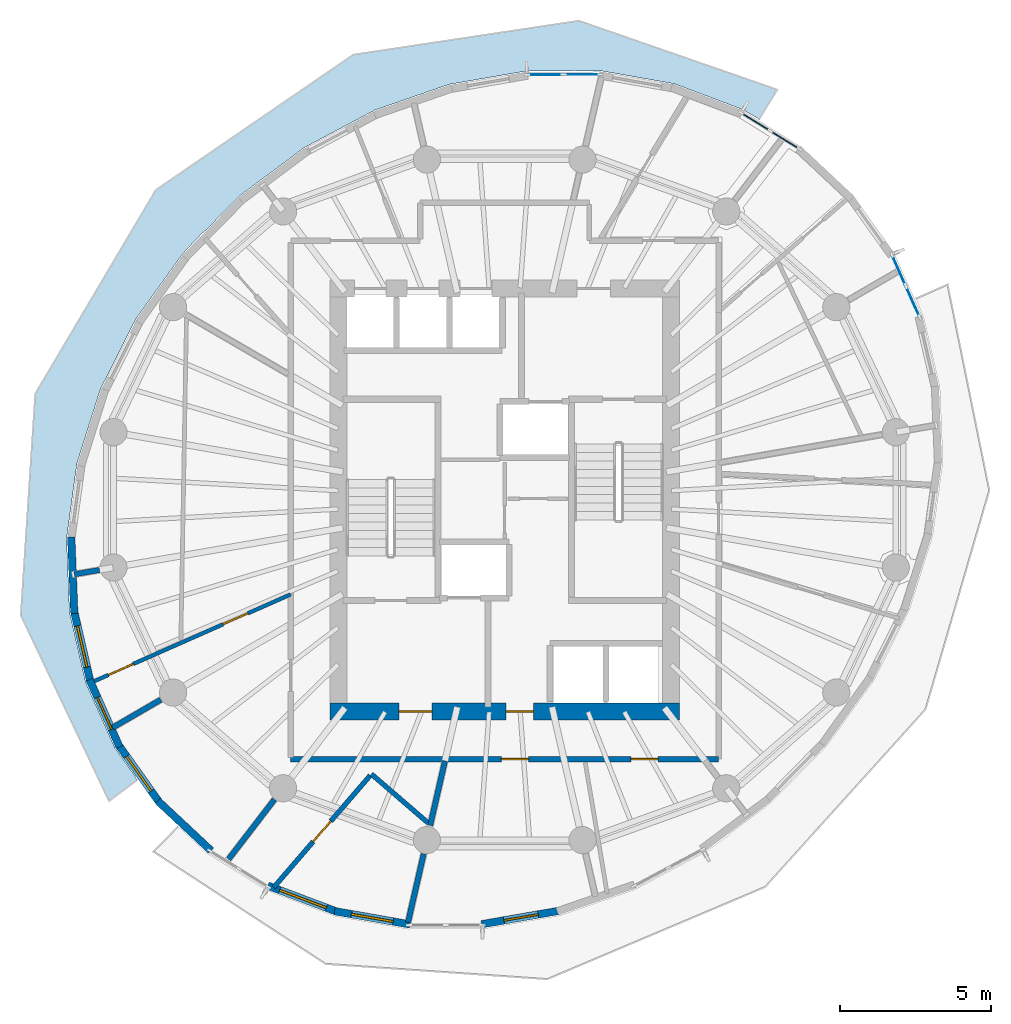
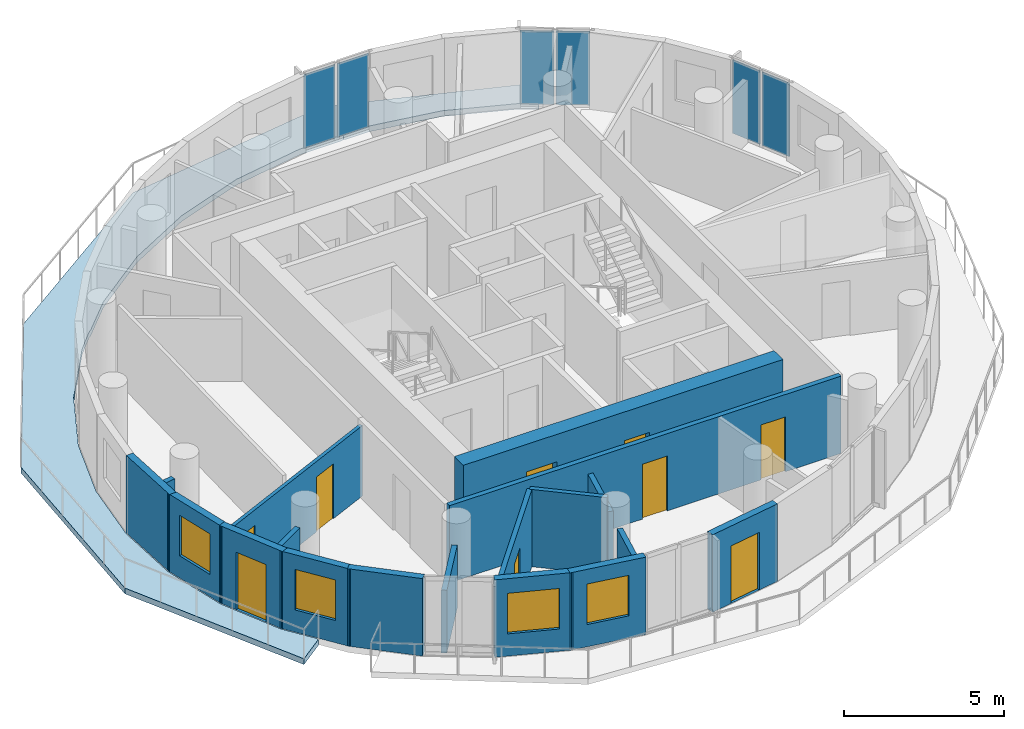
# One storey, part 4 of 10: 18 walls, 9 doors, 6 plates, 4 windows, 1 slab, 13 openings, 3 elements without a shape of their own.
"""IFC4 building model written with IfcOpenShell, lengths in metres."""

from ifc_helpers import new_model, si_unit, direction, frame, frame_2d, origin, origin_2d, place, context, subcontext, project, spatial, polyline, rectangle, outline, extrude, material, layer, layer_set, type_object, element, fill, aggregate, save


model = new_model("IFC4")

# Units and contexts
model_context = context("Model", 3, precision=1e-05, world=origin(), true_north=direction((0.0, 1.0)))
body_context = subcontext(model_context, "Body", "Model", "MODEL_VIEW")
ifc_project = project(units=[si_unit("LENGTHUNIT", "METRE"), si_unit("AREAUNIT", "SQUARE_METRE"), si_unit("VOLUMEUNIT", "CUBIC_METRE"), si_unit("PLANEANGLEUNIT", "RADIAN"), si_unit("MASSUNIT", "GRAM", prefix="KILO")], contexts=[model_context])

# Site, building, storey
site_placement = place(None, origin())
site = spatial("IfcSite", under=ifc_project, at=site_placement, CompositionType="ELEMENT")
building_placement = place(site_placement, origin())
building = spatial("IfcBuilding", under=site, at=building_placement, Name="Veldorim Arch Residences", CompositionType="ELEMENT")
storey_placement = place(building_placement, frame((0.0, 0.0, 172.639892578125)))
storey = spatial("IfcBuildingStorey", under=building, at=storey_placement, Name="L51", CompositionType="ELEMENT", Elevation=172.639892578125)

# Slab
ifc_material_1 = material(Name="Concrete C40/50", Category="concrete")
ifc_layer_1 = layer(ifc_material_1, 0.219970703125, Name="Planted Crescent Cantilever Balcony Slab 220")
ifc_layer_set_1 = layer_set([ifc_layer_1], Name="Concrete C40/50")
slab_type = type_object("IfcSlabType", Name="Planted Crescent Cantilever Balcony Slab 220", PredefinedType="FLOOR", material=ifc_layer_set_1)
slab_placement = place(storey_placement, frame((0.0, 0.0, -0.219970703125)))
element("IfcSlab", 1, at=slab_placement, inside=storey, type_object=slab_type, Name="L51 planted crescent balcony slab A", PredefinedType="FLOOR", context=body_context, shape_type="SweptSolid", body=[
    extrude(outline(polyline([(40.425048828125, 36.59814453125), (39.85107421875, 36.927490234375), (37.612060546875, 37.7705078125), (35.20263671875, 38.195068359375), (34.399169921875, 38.193115234375), (34.30615234375, 38.217529296875), (34.182373046875, 38.1923828125), (32.696044921875, 38.1884765625), (30.16845703125, 37.75048828125), (27.69677734375, 36.89501953125), (25.35595703125, 35.64794921875), (23.216796875, 34.047119140625), (22.1015625, 32.912109375), (22.001953125, 32.841552734375), (21.344482421875, 32.14111328125), (19.795654296875, 29.98779296875), (18.61767578125, 27.652587890625), (17.845703125, 25.206298828125), (17.504150390625, 22.72314453125), (17.60302734375, 20.278564453125), (18.139404296875, 17.947021484375), (19.09716796875, 15.799072265625), (19.780029296875, 14.83837890625), (19.827392578125, 14.716064453125), (18.906005859375, 14.02783203125), (15.98291015625, 20.177490234375), (16.463623046875, 27.518798828125), (20.4521484375, 34.258544921875), (26.9853515625, 38.734130859375), (34.456298828125, 39.8583984375), (41.0283203125, 37.5771484375), (40.425048828125, 36.59814453125)])), origin(), (0.0, 0.0, 1.0), 0.219970703125),
])

# Curtain wall, plates
ifc_material_2 = material(Name="Aluminium", Category="aluminium")
curtain_wall_type = type_object("IfcCurtainWallType", Name="Zone 4 High-Altitude Unitised Curtain Wall", PredefinedType="NOTDEFINED", material=ifc_material_2)
curtain_wall_1_placement = place(storey_placement, origin())
curtain_wall_1 = element("IfcCurtainWall", 2, at=curtain_wall_1_placement, inside=storey, type_object=curtain_wall_type, Name="L51 unitised curtain wall bay 02", PredefinedType="NOTDEFINED")
ifc_material_3 = material(Name="Laminated Low-E Glass", Category="glass")
ifc_layer_2 = layer(ifc_material_3, 0.030029296875, Name="Zone 4 High-Altitude Unitised Curtain Wall Glazing Panel 30")
ifc_layer_set_2 = layer_set([ifc_layer_2], Name="Laminated Low-E Glass")
plate_type = type_object("IfcPlateType", Name="Zone 4 High-Altitude Unitised Curtain Wall Glazing Panel 30", PredefinedType="CURTAIN_PANEL", material=ifc_layer_set_2)
plate_1_placement = place(storey_placement, frame((40.307861328125, 36.510009765625, 0.0751953125), z_axis=(0.0, 0.0, 1.0), x_axis=(0.850708896326, -0.525637112191, 0.0)))
plate_1 = element("IfcPlate", 3, at=plate_1_placement, type_object=plate_type, Name="CW-Z4 panel 1.1", PredefinedType="CURTAIN_PANEL", context=body_context, shape_type="SweptSolid", body=[
    extrude(rectangle(XDim=1.06103515625, YDim=0.030029296875, at=origin_2d()), origin(), (0.0, 0.0, 1.0), 2.81005859375),
])
plate_2_placement = place(storey_placement, frame((41.274169921875, 35.912841796875, 0.0751953125), z_axis=(0.0, 0.0, 1.0), x_axis=(0.850708896326, -0.525637112191, 0.0)))
plate_2 = element("IfcPlate", 4, at=plate_2_placement, type_object=plate_type, Name="CW-Z4 panel 2.1", PredefinedType="CURTAIN_PANEL", context=body_context, shape_type="SweptSolid", body=[
    extrude(rectangle(XDim=1.06103515625, YDim=0.030029296875, at=origin_2d()), origin(), (0.0, 0.0, 1.0), 2.81005859375),
])
aggregate(curtain_wall_1, [plate_1, plate_2])

curtain_wall_2_placement = place(storey_placement, origin())
curtain_wall_2 = element("IfcCurtainWall", 5, at=curtain_wall_2_placement, inside=storey, type_object=curtain_wall_type, Name="L51 unitised curtain wall bay 05", PredefinedType="NOTDEFINED")
plate_3_placement = place(storey_placement, frame((33.3427734375, 38.0751953125, 0.0751953125), z_axis=(0.0, 0.0, 1.0), x_axis=(0.999996415131, 0.002677634077, 0.0)))
plate_3 = element("IfcPlate", 6, at=plate_3_placement, type_object=plate_type, Name="CW-Z4 panel 1.1", PredefinedType="CURTAIN_PANEL", context=body_context, shape_type="SweptSolid", body=[
    extrude(rectangle(XDim=1.138671875, YDim=0.030029296875, at=origin_2d()), origin(), (0.0, 0.0, 1.0), 2.81005859375),
])
plate_4_placement = place(storey_placement, frame((34.556396484375, 38.078369140625, 0.0751953125), z_axis=(0.0, 0.0, 1.0), x_axis=(0.999996415131, 0.002677634077, 0.0)))
plate_4 = element("IfcPlate", 7, at=plate_4_placement, type_object=plate_type, Name="CW-Z4 panel 2.1", PredefinedType="CURTAIN_PANEL", context=body_context, shape_type="SweptSolid", body=[
    extrude(rectangle(XDim=1.138671875, YDim=0.030029296875, at=origin_2d()), origin(), (0.0, 0.0, 1.0), 2.81005859375),
])
aggregate(curtain_wall_2, [plate_3, plate_4])

curtain_wall_3_placement = place(storey_placement, origin())
curtain_wall_3 = element("IfcCurtainWall", 8, at=curtain_wall_3_placement, inside=storey, type_object=curtain_wall_type, Name="L51 unitised curtain wall bay 35", PredefinedType="NOTDEFINED")
plate_5_placement = place(storey_placement, frame((45.04541015625, 31.598876953125, 0.0751953125), z_axis=(0.0, 0.0, 1.0), x_axis=(0.407268864514, -0.913308311578, 0.0)))
plate_5 = element("IfcPlate", 9, at=plate_5_placement, type_object=plate_type, Name="CW-Z4 panel 1.1", PredefinedType="CURTAIN_PANEL", context=body_context, shape_type="SweptSolid", body=[
    extrude(rectangle(XDim=1.06103515625, YDim=0.030029296875, at=origin_2d()), origin(), (0.0, 0.0, 1.0), 2.81005859375),
])
plate_6_placement = place(storey_placement, frame((45.508056640625, 30.561279296875, 0.0751953125), z_axis=(0.0, 0.0, 1.0), x_axis=(0.407268864514, -0.913308311578, 0.0)))
plate_6 = element("IfcPlate", 10, at=plate_6_placement, type_object=plate_type, Name="CW-Z4 panel 2.1", PredefinedType="CURTAIN_PANEL", context=body_context, shape_type="SweptSolid", body=[
    extrude(rectangle(XDim=1.06103515625, YDim=0.030029296875, at=origin_2d()), origin(), (0.0, 0.0, 1.0), 2.81005859375),
])
aggregate(curtain_wall_3, [plate_5, plate_6])

# Wall, openings, doors
ifc_material_4 = material(Name="Acoustic Gypsum Board", Category="gypsum")
ifc_layer_3 = layer(ifc_material_4, 0.125, Name="Acoustic Stud Room Partition Wall 125")
ifc_layer_set_3 = layer_set([ifc_layer_3], Name="Acoustic Gypsum Board")
wall_type_1 = type_object("IfcWallType", Name="Acoustic Stud Room Partition Wall 125", PredefinedType="PARTITIONING", material=ifc_layer_set_3)
wall_1_placement = place(storey_placement, frame((18.316650390625, 17.954345703125, 0.0), z_axis=(0.0, 0.0, 1.0), x_axis=(0.914699105929, 0.404135553512, 0.0)))
wall_1 = element("IfcWall", 11, at=wall_1_placement, inside=storey, type_object=wall_type_1, Name="L51 interior wall WL-RES-L51-026", PredefinedType="PARTITIONING", context=body_context, shape_type="SweptSolid", body=[
    extrude(rectangle(XDim=7.218994140625, YDim=0.125, at=frame_2d((3.609375, 0.0))), origin(), (0.0, 0.0, 1.0), 2.692138671875),
])
opening_1_placement = place(wall_1_placement, frame((0.62109375, 0.0, 0.0)))
opening_1 = element("IfcOpeningElement", 12, at=opening_1_placement, cuts=wall_1, Name="Opening DR-INT", PredefinedType="OPENING", context=body_context, shape_type="SweptSolid", body=[
    extrude(rectangle(XDim=0.89990234375, YDim=2.10009765625, at=frame_2d((0.449951171875, 1.050048828125))), frame((0.0, 0.072509765625, 0.0), z_axis=(0.0, -1.0, 0.0), x_axis=(1.0, 0.0, 0.0)), (0.0, 0.0, 1.0), 0.14501953125),
])
opening_2_placement = place(wall_1_placement, frame((4.769775390625, 0.0, 0.0)))
opening_2 = element("IfcOpeningElement", 13, at=opening_2_placement, cuts=wall_1, Name="Opening DR-INT", PredefinedType="OPENING", context=body_context, shape_type="SweptSolid", body=[
    extrude(rectangle(XDim=0.89990234375, YDim=2.10009765625, at=frame_2d((0.449951171875, 1.050048828125))), frame((0.0, 0.072509765625, 0.0), z_axis=(0.0, -1.0, 0.0), x_axis=(1.0, 0.0, 0.0)), (0.0, 0.0, 1.0), 0.14501953125),
])
ifc_material_5 = material(Name="Engineered Timber", Category="wood")
door_type_1 = type_object("IfcDoorType", Name="Apartment Internal Room Timber Door 900x2100", OperationType="SINGLE_SWING_LEFT", PredefinedType="DOOR", material=ifc_material_5)
door_1_placement = place(opening_1_placement, origin())
door_1 = element("IfcDoor", 14, at=door_1_placement, inside=storey, type_object=door_type_1, Name="L51 interior door DR-RES-L51-015", OperationType="SINGLE_SWING_LEFT", OverallHeight=2.10009765625, OverallWidth=0.89990234375, PredefinedType="DOOR", context=body_context, shape_type="SweptSolid", body=[
    extrude(rectangle(XDim=0.89990234375, YDim=2.10009765625, at=frame_2d((0.449951171875, 1.050048828125))), frame((0.0, 0.02490234375, 0.0), z_axis=(0.0, -1.0, 0.0), x_axis=(1.0, 0.0, 0.0)), (0.0, 0.0, 1.0), 0.050048828125),
])
fill(opening_1, door_1)
door_2_placement = place(opening_2_placement, origin())
door_2 = element("IfcDoor", 15, at=door_2_placement, inside=storey, type_object=door_type_1, Name="L51 interior door DR-RES-L51-016", OperationType="SINGLE_SWING_RIGHT", OverallHeight=2.10009765625, OverallWidth=0.89990234375, PredefinedType="DOOR", context=body_context, shape_type="SweptSolid", body=[
    extrude(rectangle(XDim=0.89990234375, YDim=2.10009765625, at=frame_2d((0.449951171875, 1.050048828125))), frame((0.0, 0.02490234375, 0.0), z_axis=(0.0, -1.0, 0.0), x_axis=(1.0, 0.0, 0.0)), (0.0, 0.0, 1.0), 0.050048828125),
])
fill(opening_2, door_2)

# Walls
ifc_material_6 = material(Name="Lightweight Masonry Block & Gypsum", Category="masonry")
ifc_layer_4 = layer(ifc_material_6, 0.179931640625, Name="Compartment & Corridor Fire-Rated Party Wall 180")
ifc_layer_set_4 = layer_set([ifc_layer_4], Name="Lightweight Masonry Block & Gypsum")
wall_type_2 = type_object("IfcWallType", Name="Compartment & Corridor Fire-Rated Party Wall 180", PredefinedType="PARTITIONING", material=ifc_layer_set_4)
wall_2_placement = place(storey_placement, frame((18.590576171875, 21.680419921875, 0.0), z_axis=(0.0, 0.0, 1.0), x_axis=(-0.985336508055, -0.170622290144, 0.0)))
element("IfcWall", 16, at=wall_2_placement, inside=storey, type_object=wall_type_2, Name="L51 interior wall WL-PIER-L51-09", PredefinedType="PARTITIONING", context=body_context, shape_type="SweptSolid", body=[
    extrude(rectangle(XDim=0.845703125, YDim=0.179931640625, at=frame_2d((0.4228515625, 0.0))), origin(), (0.0, 0.0, 1.0), 2.403564453125),
])
wall_3_placement = place(storey_placement, frame((20.6181640625, 17.385986328125, 0.0), z_axis=(0.0, 0.0, 1.0), x_axis=(-0.864604991586, -0.502452195264, 0.0)))
element("IfcWall", 17, at=wall_3_placement, inside=storey, type_object=wall_type_2, Name="L51 interior wall WL-PIER-L51-10", PredefinedType="PARTITIONING", context=body_context, shape_type="SweptSolid", body=[
    extrude(rectangle(XDim=1.841064453125, YDim=0.179931640625, at=frame_2d((0.92041015625, 0.0))), origin(), (0.0, 0.0, 1.0), 2.403564453125),
])
wall_4_placement = place(storey_placement, frame((24.380126953125, 14.08203125, 0.0), z_axis=(0.0, 0.0, 1.0), x_axis=(-0.609279402228, -0.792955616678, 0.0)))
element("IfcWall", 18, at=wall_4_placement, inside=storey, type_object=wall_type_2, Name="L51 interior wall WL-PIER-L51-11", PredefinedType="PARTITIONING", context=body_context, shape_type="SweptSolid", body=[
    extrude(rectangle(XDim=2.489501953125, YDim=0.179931640625, at=frame_2d((1.24462890625, 0.0))), origin(), (0.0, 0.0, 1.0), 2.403564453125),
])
wall_5_placement = place(storey_placement, frame((29.320068359375, 12.282470703125, 0.0), z_axis=(0.0, 0.0, 1.0), x_axis=(-0.222998449778, -0.974818799263, 0.0)))
element("IfcWall", 19, at=wall_5_placement, inside=storey, type_object=wall_type_2, Name="L51 interior wall WL-PIER-L51-12", PredefinedType="PARTITIONING", context=body_context, shape_type="SweptSolid", body=[
    extrude(rectangle(XDim=2.32861328125, YDim=0.179931640625, at=frame_2d((1.164306640625, 0.0))), origin(), (0.0, 0.0, 1.0), 2.403564453125),
])

# Wall, openings, doors
wall_6_placement = place(storey_placement, frame((39.080078125, 15.419921875, 0.0), z_axis=(0.0, 0.0, 1.0), x_axis=(-1.0, 0.0, 0.0)))
wall_6 = element("IfcWall", 20, at=wall_6_placement, inside=storey, type_object=wall_type_2, Name="L51 interior wall WL-RES-L51-001", PredefinedType="PARTITIONING", context=body_context, shape_type="SweptSolid", body=[
    extrude(rectangle(XDim=14.16015625, YDim=0.179931640625, at=frame_2d((7.080078125, 0.0))), origin(), (0.0, 0.0, 1.0), 2.955078125),
])
opening_3_placement = place(wall_6_placement, frame((2.006591796875, 0.0, 0.0)))
opening_3 = element("IfcOpeningElement", 21, at=opening_3_placement, cuts=wall_6, Name="Opening DR-SVC", PredefinedType="OPENING", context=body_context, shape_type="SweptSolid", body=[
    extrude(rectangle(XDim=0.89990234375, YDim=2.10009765625, at=frame_2d((0.449951171875, 1.050048828125))), frame((0.0, 0.099853515625, 0.0), z_axis=(0.0, -1.0, 0.0), x_axis=(1.0, 0.0, 0.0)), (0.0, 0.0, 1.0), 0.199951171875),
])
opening_4_placement = place(wall_6_placement, frame((6.28662109375, 0.0, 0.0)))
opening_4 = element("IfcOpeningElement", 22, at=opening_4_placement, cuts=wall_6, Name="Opening DR-INT", PredefinedType="OPENING", context=body_context, shape_type="SweptSolid", body=[
    extrude(rectangle(XDim=0.89990234375, YDim=2.10009765625, at=frame_2d((0.449951171875, 1.050048828125))), frame((0.0, 0.099853515625, 0.0), z_axis=(0.0, -1.0, 0.0), x_axis=(1.0, 0.0, 0.0)), (0.0, 0.0, 1.0), 0.199951171875),
])
door_3_placement = place(opening_4_placement, origin())
door_3 = element("IfcDoor", 23, at=door_3_placement, inside=storey, type_object=door_type_1, Name="L51 interior door DR-RES-L51-002", OperationType="SINGLE_SWING_RIGHT", OverallHeight=2.10009765625, OverallWidth=0.89990234375, PredefinedType="DOOR", context=body_context, shape_type="SweptSolid", body=[
    extrude(rectangle(XDim=0.89990234375, YDim=2.10009765625, at=frame_2d((0.449951171875, 1.050048828125))), frame((0.0, 0.02490234375, 0.0), z_axis=(0.0, -1.0, 0.0), x_axis=(1.0, 0.0, 0.0)), (0.0, 0.0, 1.0), 0.050048828125),
])
fill(opening_4, door_3)
ifc_material_7 = material(Name="Fire-Rated Steel", Category="steel")
door_type_2 = type_object("IfcDoorType", Name="Riser, Shelter & Plant Room Rated Steel Door 900x2100", OperationType="SINGLE_SWING_LEFT", PredefinedType="DOOR", material=ifc_material_7)
door_4_placement = place(opening_3_placement, origin())
door_4 = element("IfcDoor", 24, at=door_4_placement, inside=storey, type_object=door_type_2, Name="L51 interior door DR-RES-L51-001", OperationType="SINGLE_SWING_LEFT", OverallHeight=2.10009765625, OverallWidth=0.89990234375, PredefinedType="DOOR", context=body_context, shape_type="SweptSolid", body=[
    extrude(rectangle(XDim=0.89990234375, YDim=2.10009765625, at=frame_2d((0.449951171875, 1.050048828125))), frame((0.0, 0.02490234375, 0.0), z_axis=(0.0, -1.0, 0.0), x_axis=(1.0, 0.0, 0.0)), (0.0, 0.0, 1.0), 0.050048828125),
])
fill(opening_3, door_4)

# Walls
wall_7_placement = place(storey_placement, frame((29.535400390625, 13.223876953125, 0.0), z_axis=(0.0, 0.0, 1.0), x_axis=(0.222891307908, 0.97484330272, 0.0)))
element("IfcWall", 25, at=wall_7_placement, inside=storey, type_object=wall_type_2, Name="L51 interior wall WL-RES-L51-013", PredefinedType="PARTITIONING", context=body_context, shape_type="SweptSolid", body=[
    extrude(rectangle(XDim=2.19287109375, YDim=0.179931640625, at=frame_2d((1.096435546875, 0.0))), origin(), (0.0, 0.0, 1.0), 2.403564453125),
])
ifc_material_8 = material(Name="Precast concrete C40/50", Category="concrete")
ifc_layer_5 = layer(ifc_material_8, 0.25, Name="Tower Terracotta Spandrel & Pier Wall 250")
ifc_layer_set_5 = layer_set([ifc_layer_5], Name="Precast concrete C40/50")
wall_type_3 = type_object("IfcWallType", Name="Tower Terracotta Spandrel & Pier Wall 250", PredefinedType="SOLIDWALL", material=ifc_layer_set_5)
wall_8_placement = place(storey_placement, frame((17.754638671875, 20.241943359375, 0.0), z_axis=(0.0, 0.0, 1.0), x_axis=(-0.040399298921, 0.999183615081, 0.0)))
element("IfcWall", 26, at=wall_8_placement, inside=storey, type_object=wall_type_3, Name="L51 terracotta facade wall 15", PredefinedType="SOLIDWALL", context=body_context, shape_type="SweptSolid", body=[
    extrude(rectangle(XDim=2.531982421875, YDim=0.25, at=frame_2d((1.26611328125, 0.0))), origin(), (0.0, 0.0, 1.0), 2.960205078125),
])

# Wall, opening, window
wall_9_placement = place(storey_placement, frame((18.294921875, 17.939208984375, 0.0), z_axis=(0.0, 0.0, 1.0), x_axis=(-0.224175769227, 0.974548728639, 0.0)))
wall_9 = element("IfcWall", 27, at=wall_9_placement, inside=storey, type_object=wall_type_3, Name="L51 terracotta facade wall 16", PredefinedType="SOLIDWALL", context=body_context, shape_type="SweptSolid", body=[
    extrude(rectangle(XDim=2.4775390625, YDim=0.25, at=frame_2d((1.23876953125, 0.0))), origin(), (0.0, 0.0, 1.0), 2.960205078125),
])
opening_5_placement = place(wall_9_placement, frame((0.5390625, 0.0, 0.85009765625)))
opening_5 = element("IfcOpeningElement", 28, at=opening_5_placement, cuts=wall_9, Name="Opening WN-02", PredefinedType="OPENING", context=body_context, shape_type="SweptSolid", body=[
    extrude(rectangle(XDim=1.39990234375, YDim=1.550048828125, at=frame_2d((0.699951171875, 0.77490234375))), frame((0.0, 0.135009765625, 0.0), z_axis=(0.0, -1.0, 0.0), x_axis=(1.0, 0.0, 0.0)), (0.0, 0.0, 1.0), 0.27001953125),
])
ifc_material_9 = material(Name="Laminated Low-E Glass", Category="glass")
window_type_1 = type_object("IfcWindowType", Name="Residential Casement Window 1400x1550", PartitioningType="SINGLE_PANEL", PredefinedType="WINDOW", material=ifc_material_9)
window_1_placement = place(opening_5_placement, origin())
window_1 = element("IfcWindow", 29, at=window_1_placement, inside=storey, type_object=window_type_1, Name="L51 solar-control facade window 16", OverallHeight=1.550048828125, OverallWidth=1.39990234375, PartitioningType="SINGLE_PANEL", PredefinedType="WINDOW", context=body_context, shape_type="SweptSolid", body=[
    extrude(rectangle(XDim=1.39990234375, YDim=1.550048828125, at=frame_2d((0.699951171875, 0.77490234375))), frame((0.0, 0.030029296875, 0.0), z_axis=(0.0, -1.0, 0.0), x_axis=(1.0, 0.0, 0.0)), (0.0, 0.0, 1.0), 0.06005859375),
])
fill(opening_5, window_1)

# Wall, opening, door
wall_10_placement = place(storey_placement, frame((19.25146484375, 15.8212890625, 0.0), z_axis=(0.0, 0.0, 1.0), x_axis=(-0.407346511056, 0.913273682929, 0.0)))
wall_10 = element("IfcWall", 30, at=wall_10_placement, inside=storey, type_object=wall_type_3, Name="L51 terracotta facade wall 17", PredefinedType="SOLIDWALL", context=body_context, shape_type="SweptSolid", body=[
    extrude(rectangle(XDim=2.43701171875, YDim=0.25, at=frame_2d((1.218505859375, 0.0))), origin(), (0.0, 0.0, 1.0), 2.960205078125),
])
opening_6_placement = place(wall_10_placement, frame((0.64306640625, 0.0, 0.0)))
opening_6 = element("IfcOpeningElement", 31, at=opening_6_placement, cuts=wall_10, Name="Opening BL-DR", PredefinedType="OPENING", context=body_context, shape_type="SweptSolid", body=[
    extrude(rectangle(XDim=1.14990234375, YDim=2.199951171875, at=frame_2d((0.574951171875, 1.10009765625))), frame((0.0, 0.135009765625, 0.0), z_axis=(0.0, -1.0, 0.0), x_axis=(1.0, 0.0, 0.0)), (0.0, 0.0, 1.0), 0.27001953125),
])
ifc_material_10 = material(Name="Aluminium & Low-E Glass", Category="aluminium")
door_type_3 = type_object("IfcDoorType", Name="Glazed Planted Balcony Door 1150x2200", OperationType="SINGLE_SWING_LEFT", PredefinedType="DOOR", material=ifc_material_10)
door_5_placement = place(opening_6_placement, origin())
door_5 = element("IfcDoor", 32, at=door_5_placement, inside=storey, type_object=door_type_3, Name="L51 glazed outdoor terrace door BALC-1", OperationType="SINGLE_SWING_LEFT", OverallHeight=2.199951171875, OverallWidth=1.14990234375, PredefinedType="DOOR", context=body_context, shape_type="SweptSolid", body=[
    extrude(rectangle(XDim=1.14990234375, YDim=2.199951171875, at=frame_2d((0.574951171875, 1.10009765625))), frame((0.0, 0.02490234375, 0.0), z_axis=(0.0, -1.0, 0.0), x_axis=(1.0, 0.0, 0.0)), (0.0, 0.0, 1.0), 0.050048828125),
])
fill(opening_6, door_5)

# Wall, opening, window
wall_11_placement = place(storey_placement, frame((20.593994140625, 13.95263671875, 0.0), z_axis=(0.0, 0.0, 1.0), x_axis=(-0.579505880656, 0.814968057217, 0.0)))
wall_11 = element("IfcWall", 33, at=wall_11_placement, inside=storey, type_object=wall_type_3, Name="L51 terracotta facade wall 18", PredefinedType="SOLIDWALL", context=body_context, shape_type="SweptSolid", body=[
    extrude(rectangle(XDim=2.414794921875, YDim=0.25, at=frame_2d((1.20751953125, 0.0))), origin(), (0.0, 0.0, 1.0), 2.960205078125),
])
opening_7_placement = place(wall_11_placement, frame((0.507080078125, 0.0, 0.85009765625)))
opening_7 = element("IfcOpeningElement", 34, at=opening_7_placement, cuts=wall_11, Name="Opening WN-02", PredefinedType="OPENING", context=body_context, shape_type="SweptSolid", body=[
    extrude(rectangle(XDim=1.39990234375, YDim=1.550048828125, at=frame_2d((0.699951171875, 0.77490234375))), frame((0.0, 0.135009765625, 0.0), z_axis=(0.0, -1.0, 0.0), x_axis=(1.0, 0.0, 0.0)), (0.0, 0.0, 1.0), 0.27001953125),
])
window_2_placement = place(opening_7_placement, origin())
window_2 = element("IfcWindow", 35, at=window_2_placement, inside=storey, type_object=window_type_1, Name="L51 solar-control facade window 18", OverallHeight=1.550048828125, OverallWidth=1.39990234375, PartitioningType="SINGLE_PANEL", PredefinedType="WINDOW", context=body_context, shape_type="SweptSolid", body=[
    extrude(rectangle(XDim=1.39990234375, YDim=1.550048828125, at=frame_2d((0.699951171875, 0.77490234375))), frame((0.0, 0.030029296875, 0.0), z_axis=(0.0, -1.0, 0.0), x_axis=(1.0, 0.0, 0.0)), (0.0, 0.0, 1.0), 0.06005859375),
])
fill(opening_7, window_2)

# Wall
wall_12_placement = place(storey_placement, frame((22.28173828125, 12.38916015625, 0.0), z_axis=(0.0, 0.0, 1.0), x_axis=(-0.730224222865, 0.683207570465, 0.0)))
element("IfcWall", 36, at=wall_12_placement, inside=storey, type_object=wall_type_3, Name="L51 terracotta facade wall 19", PredefinedType="SOLIDWALL", context=body_context, shape_type="SweptSolid", body=[
    extrude(rectangle(XDim=2.41455078125, YDim=0.25, at=frame_2d((1.207275390625, 0.0))), origin(), (0.0, 0.0, 1.0), 2.960205078125),
])

# Wall, opening, window
wall_13_placement = place(storey_placement, frame((26.480712890625, 10.354736328125, 0.0), z_axis=(0.0, 0.0, 1.0), x_axis=(-0.93586674787, 0.352354126172, 0.0)))
wall_13 = element("IfcWall", 37, at=wall_13_placement, inside=storey, type_object=wall_type_3, Name="L51 terracotta facade wall 21", PredefinedType="SOLIDWALL", context=body_context, shape_type="SweptSolid", body=[
    extrude(rectangle(XDim=2.477783203125, YDim=0.25, at=frame_2d((1.23876953125, 0.0))), origin(), (0.0, 0.0, 1.0), 2.960205078125),
])
opening_8_placement = place(wall_13_placement, frame((0.4140625, 0.0, 0.85009765625)))
opening_8 = element("IfcOpeningElement", 38, at=opening_8_placement, cuts=wall_13, Name="Opening WN-03", PredefinedType="OPENING", context=body_context, shape_type="SweptSolid", body=[
    extrude(rectangle(XDim=1.64990234375, YDim=1.550048828125, at=frame_2d((0.824951171875, 0.77490234375))), frame((0.0, 0.135009765625, 0.0), z_axis=(0.0, -1.0, 0.0), x_axis=(1.0, 0.0, 0.0)), (0.0, 0.0, 1.0), 0.27001953125),
])
ifc_material_11 = material(Name="Laminated Low-E Glass", Category="glass")
window_type_2 = type_object("IfcWindowType", Name="Residential Wide Window 1650x1550", PartitioningType="SINGLE_PANEL", PredefinedType="WINDOW", material=ifc_material_11)
window_3_placement = place(opening_8_placement, origin())
window_3 = element("IfcWindow", 39, at=window_3_placement, inside=storey, type_object=window_type_2, Name="L51 solar-control facade window 21", OverallHeight=1.550048828125, OverallWidth=1.64990234375, PartitioningType="SINGLE_PANEL", PredefinedType="WINDOW", context=body_context, shape_type="SweptSolid", body=[
    extrude(rectangle(XDim=1.64990234375, YDim=1.550048828125, at=frame_2d((0.824951171875, 0.77490234375))), frame((0.0, 0.030029296875, 0.0), z_axis=(0.0, -1.0, 0.0), x_axis=(1.0, 0.0, 0.0)), (0.0, 0.0, 1.0), 0.06005859375),
])
fill(opening_8, window_3)

wall_14_placement = place(storey_placement, frame((28.865478515625, 9.9453125, 0.0), z_axis=(0.0, 0.0, 1.0), x_axis=(-0.984837873762, 0.173477267688, 0.0)))
wall_14 = element("IfcWall", 40, at=wall_14_placement, inside=storey, type_object=wall_type_3, Name="L51 terracotta facade wall 22", PredefinedType="SOLIDWALL", context=body_context, shape_type="SweptSolid", body=[
    extrude(rectangle(XDim=2.53173828125, YDim=0.25, at=frame_2d((1.265869140625, 0.0))), origin(), (0.0, 0.0, 1.0), 2.960205078125),
])
opening_9_placement = place(wall_14_placement, frame((0.56591796875, 0.0, 0.85009765625)))
opening_9 = element("IfcOpeningElement", 41, at=opening_9_placement, cuts=wall_14, Name="Opening WN-02", PredefinedType="OPENING", context=body_context, shape_type="SweptSolid", body=[
    extrude(rectangle(XDim=1.39990234375, YDim=1.550048828125, at=frame_2d((0.699951171875, 0.77490234375))), frame((0.0, 0.135009765625, 0.0), z_axis=(0.0, -1.0, 0.0), x_axis=(1.0, 0.0, 0.0)), (0.0, 0.0, 1.0), 0.27001953125),
])
window_4_placement = place(opening_9_placement, origin())
window_4 = element("IfcWindow", 42, at=window_4_placement, inside=storey, type_object=window_type_1, Name="L51 solar-control facade window 22", OverallHeight=1.550048828125, OverallWidth=1.39990234375, PartitioningType="SINGLE_PANEL", PredefinedType="WINDOW", context=body_context, shape_type="SweptSolid", body=[
    extrude(rectangle(XDim=1.39990234375, YDim=1.550048828125, at=frame_2d((0.699951171875, 0.77490234375))), frame((0.0, 0.030029296875, 0.0), z_axis=(0.0, -1.0, 0.0), x_axis=(1.0, 0.0, 0.0)), (0.0, 0.0, 1.0), 0.06005859375),
])
fill(opening_9, window_4)

# Wall, opening, door
wall_15_placement = place(storey_placement, frame((33.84814453125, 10.404541015625, 0.0), z_axis=(0.0, 0.0, 1.0), x_axis=(-0.985331154473, -0.170653203967, 0.0)))
wall_15 = element("IfcWall", 43, at=wall_15_placement, inside=storey, type_object=wall_type_3, Name="L51 terracotta facade wall 24", PredefinedType="SOLIDWALL", context=body_context, shape_type="SweptSolid", body=[
    extrude(rectangle(XDim=2.65087890625, YDim=0.25, at=frame_2d((1.325439453125, 0.0))), origin(), (0.0, 0.0, 1.0), 2.960205078125),
])
opening_10_placement = place(wall_15_placement, frame((0.75, 0.0, 0.0)))
opening_10 = element("IfcOpeningElement", 44, at=opening_10_placement, cuts=wall_15, Name="Opening BL-DR", PredefinedType="OPENING", context=body_context, shape_type="SweptSolid", body=[
    extrude(rectangle(XDim=1.14990234375, YDim=2.199951171875, at=frame_2d((0.574951171875, 1.10009765625))), frame((0.0, 0.135009765625, 0.0), z_axis=(0.0, -1.0, 0.0), x_axis=(1.0, 0.0, 0.0)), (0.0, 0.0, 1.0), 0.27001953125),
])
door_6_placement = place(opening_10_placement, origin())
door_6 = element("IfcDoor", 45, at=door_6_placement, inside=storey, type_object=door_type_3, Name="L51 glazed outdoor terrace door BALC-2", OperationType="SINGLE_SWING_RIGHT", OverallHeight=2.199951171875, OverallWidth=1.14990234375, PredefinedType="DOOR", context=body_context, shape_type="SweptSolid", body=[
    extrude(rectangle(XDim=1.14990234375, YDim=2.199951171875, at=frame_2d((0.574951171875, 1.10009765625))), frame((0.0, 0.02490234375, 0.0), z_axis=(0.0, -1.0, 0.0), x_axis=(1.0, 0.0, 0.0)), (0.0, 0.0, 1.0), 0.050048828125),
])
fill(opening_10, door_6)

# Wall, openings, doors
ifc_material_12 = material(Name="Concrete C50/60", Category="concrete")
ifc_layer_6 = layer(ifc_material_12, 0.5, Name="Upper Central Core Shear Wall 560")
ifc_layer_set_6 = layer_set([ifc_layer_6], Name="Concrete C50/60")
wall_type_4 = type_object("IfcWallType", Name="Upper Central Core Shear Wall 560", PredefinedType="SHEAR", material=ifc_layer_set_6)
wall_16_placement = place(storey_placement, frame((26.219970703125, 17.0, 0.0), z_axis=(0.0, 0.0, 1.0), x_axis=(1.0, 0.0, 0.0)))
wall_16 = element("IfcWall", 46, at=wall_16_placement, inside=storey, type_object=wall_type_4, Name="L51 central core south shear wall", PredefinedType="SHEAR", context=body_context, shape_type="SweptSolid", body=[
    extrude(rectangle(XDim=11.56005859375, YDim=0.56005859375, at=frame_2d((5.780029296875, 0.0))), origin(), (0.0, 0.0, 1.0), 3.2001953125),
])
opening_11_placement = place(wall_16_placement, frame((2.280029296875, 0.0, 0.0)))
opening_11 = element("IfcOpeningElement", 47, at=opening_11_placement, cuts=wall_16, Name="Opening DR-FFL", PredefinedType="OPENING", context=body_context, shape_type="SweptSolid", body=[
    extrude(rectangle(XDim=1.10009765625, YDim=2.14990234375, at=frame_2d((0.550048828125, 1.074951171875))), frame((0.0, 0.2900390625, 0.0), z_axis=(0.0, -1.0, 0.0), x_axis=(1.0, 0.0, 0.0)), (0.0, 0.0, 1.0), 0.580078125),
])
opening_12_placement = place(wall_16_placement, frame((5.830078125, 0.0, 0.0)))
opening_12 = element("IfcOpeningElement", 48, at=opening_12_placement, cuts=wall_16, Name="Opening DR-SVC", PredefinedType="OPENING", context=body_context, shape_type="SweptSolid", body=[
    extrude(rectangle(XDim=0.89990234375, YDim=2.10009765625, at=frame_2d((0.449951171875, 1.050048828125))), frame((0.0, 0.2900390625, 0.0), z_axis=(0.0, -1.0, 0.0), x_axis=(1.0, 0.0, 0.0)), (0.0, 0.0, 1.0), 0.580078125),
])
ifc_material_13 = material(Name="Fire-Rated Steel & Vision Glass", Category="steel")
door_type_4 = type_object("IfcDoorType", Name="Firefighting Lobby Smoke-Stop Fire Door 1100x2150", OperationType="SINGLE_SWING_LEFT", PredefinedType="DOOR", material=ifc_material_13)
door_7_placement = place(opening_11_placement, origin())
door_7 = element("IfcDoor", 49, at=door_7_placement, inside=storey, type_object=door_type_4, Name="L51 interior door DR-L51-FFL1", OperationType="SINGLE_SWING_RIGHT", OverallHeight=2.14990234375, OverallWidth=1.10009765625, PredefinedType="DOOR", context=body_context, shape_type="SweptSolid", body=[
    extrude(rectangle(XDim=1.10009765625, YDim=2.14990234375, at=frame_2d((0.550048828125, 1.074951171875))), frame((0.0, 0.02490234375, 0.0), z_axis=(0.0, -1.0, 0.0), x_axis=(1.0, 0.0, 0.0)), (0.0, 0.0, 1.0), 0.050048828125),
])
fill(opening_11, door_7)
door_8_placement = place(opening_12_placement, origin())
door_8 = element("IfcDoor", 50, at=door_8_placement, inside=storey, type_object=door_type_2, Name="L51 interior door DR-L51-COR-ANC", OperationType="SINGLE_SWING_LEFT", OverallHeight=2.10009765625, OverallWidth=0.89990234375, PredefinedType="DOOR", context=body_context, shape_type="SweptSolid", body=[
    extrude(rectangle(XDim=0.89990234375, YDim=2.10009765625, at=frame_2d((0.449951171875, 1.050048828125))), frame((0.0, 0.02490234375, 0.0), z_axis=(0.0, -1.0, 0.0), x_axis=(1.0, 0.0, 0.0)), (0.0, 0.0, 1.0), 0.050048828125),
])
fill(opening_12, door_8)

# Wall
ifc_material_14 = material(Name="Moisture-Resistant Gypsum & Stud", Category="gypsum")
ifc_layer_7 = layer(ifc_material_14, 0.159912109375, Name="Wet-Area Moisture-Resistant Plumbing Wall 160")
ifc_layer_set_7 = layer_set([ifc_layer_7], Name="Moisture-Resistant Gypsum & Stud")
wall_type_5 = type_object("IfcWallType", Name="Wet-Area Moisture-Resistant Plumbing Wall 160", PredefinedType="PLUMBINGWALL", material=ifc_layer_set_7)
wall_17_placement = place(storey_placement, frame((29.464111328125, 13.30859375, 0.0), z_axis=(0.0, 0.0, 1.0), x_axis=(-0.757457065386, 0.652884977693, 0.0)))
element("IfcWall", 51, at=wall_17_placement, inside=storey, type_object=wall_type_5, Name="L51 interior wall WL-RES-L51-024", PredefinedType="PLUMBINGWALL", context=body_context, shape_type="SweptSolid", body=[
    extrude(rectangle(XDim=2.474853515625, YDim=0.159912109375, at=frame_2d((1.2373046875, 0.0))), origin(), (0.0, 0.0, 1.0), 2.955078125),
])

# Wall, opening, door
wall_18_placement = place(storey_placement, frame((27.55029296875, 14.87890625, 0.0), z_axis=(0.0, 0.0, 1.0), x_axis=(-0.652871537105, -0.757468650201, 0.0)))
wall_18 = element("IfcWall", 52, at=wall_18_placement, inside=storey, type_object=wall_type_5, Name="L51 interior wall WL-RES-L51-025", PredefinedType="PLUMBINGWALL", context=body_context, shape_type="SweptSolid", body=[
    extrude(rectangle(XDim=4.89453125, YDim=0.159912109375, at=frame_2d((2.447265625, 0.0))), origin(), (0.0, 0.0, 1.0), 2.955078125),
])
opening_13_placement = place(wall_18_placement, frame((1.997314453125, 0.0, 0.0)))
opening_13 = element("IfcOpeningElement", 53, at=opening_13_placement, cuts=wall_18, Name="Opening DR-WC", PredefinedType="OPENING", context=body_context, shape_type="SweptSolid", body=[
    extrude(rectangle(XDim=0.89990234375, YDim=2.10009765625, at=frame_2d((0.449951171875, 1.050048828125))), frame((0.0, 0.08984375, 0.0), z_axis=(0.0, -1.0, 0.0), x_axis=(1.0, 0.0, 0.0)), (0.0, 0.0, 1.0), 0.179931640625),
])
ifc_material_15 = material(Name="Laminate Timber", Category="wood")
door_type_5 = type_object("IfcDoorType", Name="Bathroom & Accessible WC Moisture-Sealed Door 900x2100", OperationType="SINGLE_SWING_LEFT", PredefinedType="DOOR", material=ifc_material_15)
door_9_placement = place(opening_13_placement, origin())
door_9 = element("IfcDoor", 54, at=door_9_placement, inside=storey, type_object=door_type_5, Name="L51 interior door DR-RES-L51-014", OperationType="SINGLE_SWING_RIGHT", OverallHeight=2.10009765625, OverallWidth=0.89990234375, PredefinedType="DOOR", context=body_context, shape_type="SweptSolid", body=[
    extrude(rectangle(XDim=0.89990234375, YDim=2.10009765625, at=frame_2d((0.449951171875, 1.050048828125))), frame((0.0, 0.02490234375, 0.0), z_axis=(0.0, -1.0, 0.0), x_axis=(1.0, 0.0, 0.0)), (0.0, 0.0, 1.0), 0.050048828125),
])
fill(opening_13, door_9)

save(model, "model.ifc")
